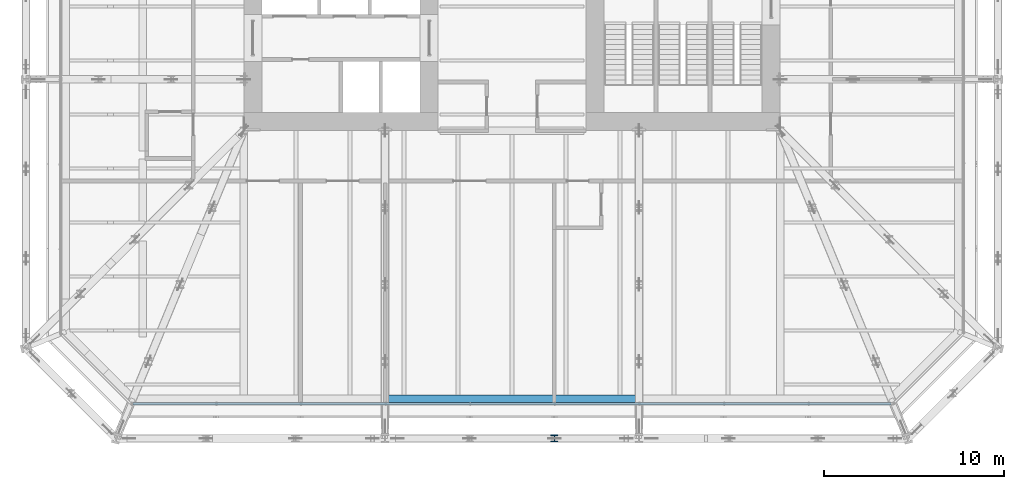
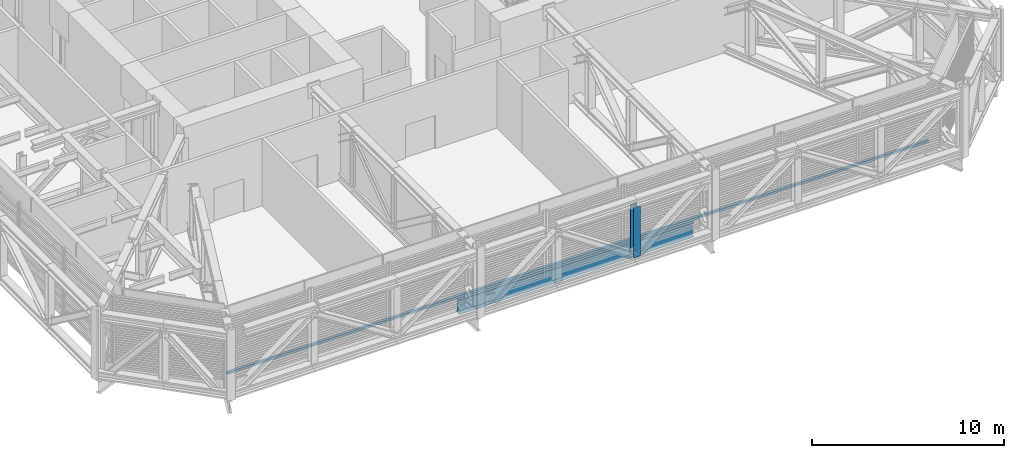
# One storey, part 4 of 33: 2 members, 1 beam, 1 element without a shape of its own.
"""IFC4 building model written with IfcOpenShell, lengths in metres."""

from ifc_helpers import new_model, si_unit, direction, frame, origin, origin_2d, place, context, subcontext, project, spatial, rectangle, i_section, extrude, material, layer, layer_set, material_profile, profile_set, type_object, element, aggregate, save


model = new_model("IFC4")

# Units and contexts
model_context = context("Model", 3, precision=1e-05, world=origin(), true_north=direction((0.0, 1.0)))
body_context = subcontext(model_context, "Body", "Model", "MODEL_VIEW")
ifc_project = project(units=[si_unit("LENGTHUNIT", "METRE"), si_unit("AREAUNIT", "SQUARE_METRE"), si_unit("VOLUMEUNIT", "CUBIC_METRE"), si_unit("PLANEANGLEUNIT", "RADIAN"), si_unit("MASSUNIT", "GRAM", prefix="KILO")], contexts=[model_context])

# Site, building, storey
site_placement = place(None, origin())
site = spatial("IfcSite", under=ifc_project, at=site_placement, CompositionType="ELEMENT")
building_placement = place(site_placement, origin())
building = spatial("IfcBuilding", under=site, at=building_placement, Name="Millrace Tower", CompositionType="ELEMENT")
storey_placement = place(building_placement, frame((0.0, 0.0, 64.10009765625)))
storey = spatial("IfcBuildingStorey", under=building, at=storey_placement, Name="L14", CompositionType="ELEMENT", Elevation=64.10009765625)

# Member
ifc_material_1 = material(Name="Steel ASTM A992 Grade 50", Category="steel")
ifc_material_profile_1 = material_profile(ifc_material_1, i_section(OverallWidth=0.398681640625, OverallDepth=0.393798828125, WebThickness=0.022705078125, FlangeThickness=0.03662109375, FilletRadius=0.01513671875, at=origin_2d()))
ifc_profile_set_1 = profile_set([ifc_material_profile_1], Name="Steel ASTM A992 Grade 50")
member_type_1 = type_object("IfcMemberType", Name="Belt truss post W14x193", PredefinedType="POST", material=ifc_profile_set_1)
member_1_placement = place(storey_placement, frame((2.35009765625, -27.0, 0.512939453125), z_axis=(0.0, 0.0, 1.0), x_axis=(1.0, 0.0, 0.0)))
element("IfcMember", 1, at=member_1_placement, inside=storey, type_object=member_type_1, Name="BLT-L14-R03-V02", PredefinedType="POST", context=body_context, shape_type="SweptSolid", body=[
    extrude(i_section(OverallWidth=0.398681640625, OverallDepth=0.393798828125, WebThickness=0.022705078125, FlangeThickness=0.03662109375, FilletRadius=0.01513671875, at=origin_2d()), origin(), (0.0, 0.0, 1.0), 3.173828125),
])

# Curtain wall, member
ifc_material_2 = material(Name="Aluminium and glass", Category="aluminium")
ifc_layer = layer(ifc_material_2, 0.14990234375)
ifc_layer_set = layer_set([ifc_layer], Name="Aluminium and glass")
curtain_wall_type = type_object("IfcCurtainWallType", Name="CW-5 truss and plant storey louvred infill", PredefinedType="NOTDEFINED", material=ifc_layer_set)
curtain_wall_placement = place(storey_placement, origin())
curtain_wall = element("IfcCurtainWall", 2, at=curtain_wall_placement, inside=storey, type_object=curtain_wall_type, Name="Curtain wall A-F02 L14", PredefinedType="NOTDEFINED")
ifc_material_3 = material(Name="Aluminium", Category="aluminium")
ifc_material_profile_2 = material_profile(ifc_material_3, rectangle(XDim=0.14990234375, YDim=0.139892578125, at=origin_2d()))
ifc_profile_set_2 = profile_set([ifc_material_profile_2], Name="Aluminium")
member_type_2 = type_object("IfcMemberType", Name="CW-5 truss and plant storey louvred infill transom", PredefinedType="USERDEFINED", material=ifc_profile_set_2)
member_2_placement = place(storey_placement, frame((-21.050048828125, -25.074951171875, 0.06982421875), z_axis=(1.0, 0.0, 0.0), x_axis=(0.0, 1.0, 0.0)))
member_2 = element("IfcMember", 3, at=member_2_placement, type_object=member_type_2, Name="CW5 transom A-F02.1", ObjectType="TRANSOM", PredefinedType="USERDEFINED", context=body_context, shape_type="SweptSolid", body=[
    extrude(rectangle(XDim=0.14990234375, YDim=0.139892578125, at=origin_2d()), origin(), (0.0, 0.0, 1.0), 42.10009765625),
])
aggregate(curtain_wall, [member_2])

# Beam
ifc_material_4 = material(Name="Steel ASTM A992 Grade 50", Category="steel")
ifc_material_profile_3 = material_profile(ifc_material_4, i_section(OverallWidth=0.421630859375, OverallDepth=0.937255859375, WebThickness=0.021240234375, FlangeThickness=0.03662109375, FilletRadius=0.024169921875, at=origin_2d()))
ifc_profile_set_3 = profile_set([ifc_material_profile_3], Name="Steel ASTM A992 Grade 50")
beam_type = type_object("IfcBeamType", Name="Ring beam medium span W36x262", PredefinedType="SPANDREL", material=ifc_profile_set_3)
beam_placement = place(storey_placement, frame((7.050048828125, -24.7890625, -0.71875), z_axis=(-1.0, 0.0, 0.0), x_axis=(0.0, -1.0, 0.0)))
element("IfcBeam", 4, at=beam_placement, inside=storey, type_object=beam_type, Name="RNG-A-L14-S1-14", PredefinedType="SPANDREL", context=body_context, shape_type="SweptSolid", body=[
    extrude(i_section(OverallWidth=0.421630859375, OverallDepth=0.937255859375, WebThickness=0.021240234375, FlangeThickness=0.03662109375, FilletRadius=0.024169921875, at=origin_2d()), origin(), (0.0, 0.0, 1.0), 14.10009765625),
])

save(model, "model.ifc")
